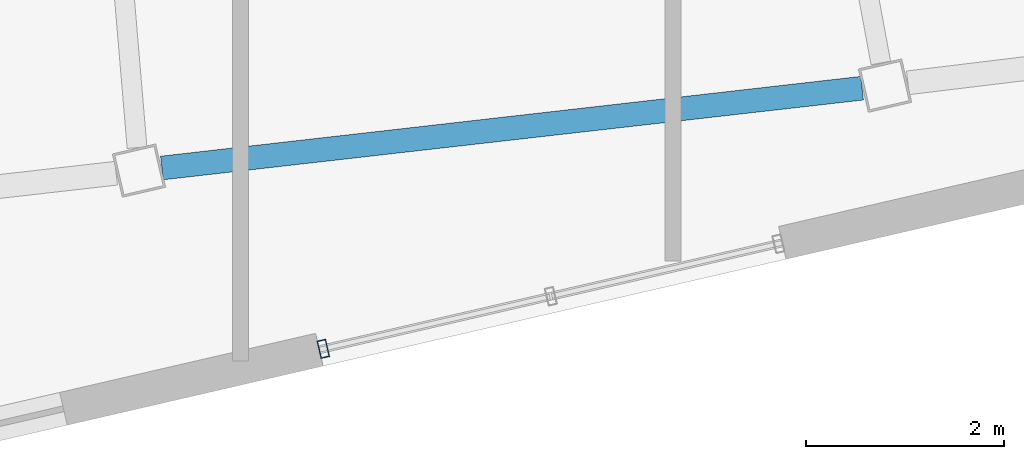
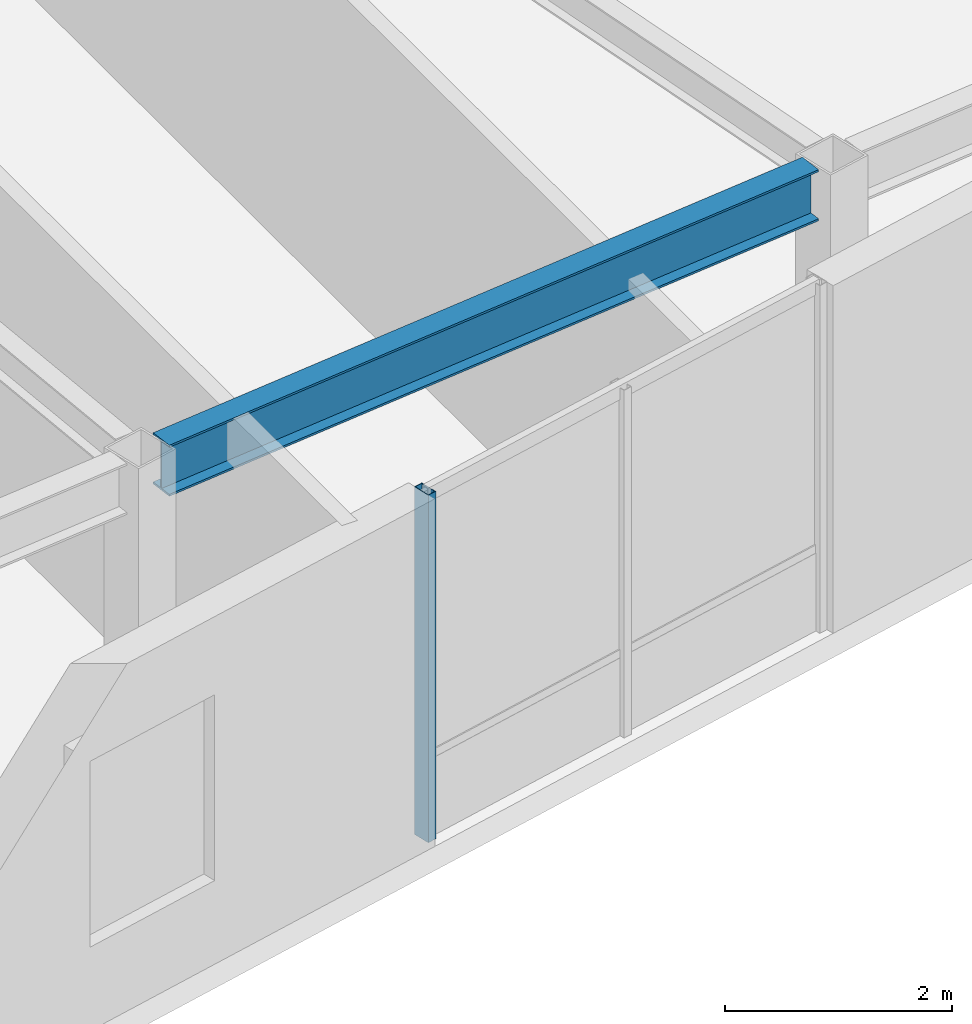
# One storey, part 5 of 23: 1 beam, 1 member, 1 element without a shape of its own.
"""IFC4 building model written with IfcOpenShell, lengths in metres."""

from ifc_helpers import new_model, si_unit, direction, frame, origin, origin_2d, place, context, subcontext, project, spatial, hollow_rectangle, i_section, extrude, material, layer, layer_set, material_profile, profile_set, type_object, element, aggregate, save


model = new_model("IFC4")

# Units and contexts
model_context = context("Model", 3, precision=1e-05, world=origin(), true_north=direction((0.0, 1.0)))
body_context = subcontext(model_context, "Body", "Model", "MODEL_VIEW")
ifc_project = project(units=[si_unit("LENGTHUNIT", "METRE"), si_unit("AREAUNIT", "SQUARE_METRE"), si_unit("VOLUMEUNIT", "CUBIC_METRE"), si_unit("PLANEANGLEUNIT", "RADIAN"), si_unit("MASSUNIT", "GRAM", prefix="KILO")], contexts=[model_context])

# Site, building, storey
site_placement = place(None, origin())
site = spatial("IfcSite", under=ifc_project, at=site_placement, CompositionType="ELEMENT")
building_placement = place(site_placement, origin())
building = spatial("IfcBuilding", under=site, at=building_placement, Name="Tavrogorsk Clinical Tower", CompositionType="ELEMENT")
storey_placement = place(building_placement, frame((0.0, 0.0, 301.0)))
storey = spatial("IfcBuildingStorey", under=building, at=storey_placement, Name="L70", CompositionType="ELEMENT", Elevation=301.0)

# Curtain wall, member
ifc_material_1 = material(Name="Anodised aluminium and triple IGU glazing", Category="aluminium")
ifc_layer = layer(ifc_material_1, 0.179931640625)
ifc_layer_set = layer_set([ifc_layer], Name="Anodised aluminium and triple IGU glazing")
curtain_wall_type = type_object("IfcCurtainWallType", Name="CW3_SouthSlot", PredefinedType="NOTDEFINED", material=ifc_layer_set)
curtain_wall_placement = place(storey_placement, origin())
curtain_wall = element("IfcCurtainWall", 1, at=curtain_wall_placement, inside=storey, type_object=curtain_wall_type, Name="L70 Curtain Wall CW-L70-S-SLOT-1", PredefinedType="NOTDEFINED")
ifc_material_2 = material(Name="Anodised aluminium alloy AW-6060", Category="aluminium")
ifc_material_profile_1 = material_profile(ifc_material_2, hollow_rectangle(XDim=0.090087890625, YDim=0.179931640625, WallThickness=0.00634765625, at=origin_2d()), Name="RHS-180x90x6.3")
ifc_profile_set_1 = profile_set([ifc_material_profile_1], Name="Anodised aluminium alloy AW-6060")
member_type = type_object("IfcMemberType", Name="CwMullion_180x90", PredefinedType="MULLION", material=ifc_profile_set_1)
member_placement = place(storey_placement, frame((-6.93212890625, -25.968994140625, 0.0), z_axis=(0.0, 0.0, 1.0), x_axis=(0.974370057377, 0.224951086434, 0.0)))
member = element("IfcMember", 2, at=member_placement, type_object=member_type, Name="CW-L70-S-SLOT-1 Mullion 1", PredefinedType="MULLION", context=body_context, shape_type="SweptSolid", body=[
    extrude(hollow_rectangle(XDim=0.090087890625, YDim=0.179931640625, WallThickness=0.00634765625, at=origin_2d()), origin(), (0.0, 0.0, 1.0), 3.739990234375),
])
aggregate(curtain_wall, [member])

# Beam
ifc_material_3 = material(Name="Structural steel S390", Category="steel")
ifc_material_profile_2 = material_profile(ifc_material_3, i_section(OverallWidth=0.239990234375, OverallDepth=0.550048828125, WebThickness=0.013916015625, FlangeThickness=0.02197265625, at=origin_2d()), Name="B-550x240x14x22")
ifc_profile_set_2 = profile_set([ifc_material_profile_2], Name="Structural steel S390")
beam_type = type_object("IfcBeamType", Name="SpandrelBeam_B550", PredefinedType="SPANDREL", material=ifc_profile_set_2)
beam_placement = place(storey_placement, frame((-8.5625, -24.14208984375, 3.465087890625), z_axis=(0.993572073137, 0.113201305126, 0.0), x_axis=(-0.113201305126, 0.993572073137, 0.0)))
element("IfcBeam", 3, at=beam_placement, inside=storey, type_object=beam_type, Name="L70 Perimeter Spandrel S3-S4", PredefinedType="SPANDREL", context=body_context, shape_type="SweptSolid", body=[
    extrude(i_section(OverallWidth=0.239990234375, OverallDepth=0.550048828125, WebThickness=0.013916015625, FlangeThickness=0.02197265625, at=origin_2d()), origin(), (0.0, 0.0, 1.0), 7.119140625),
])

save(model, "model.ifc")
